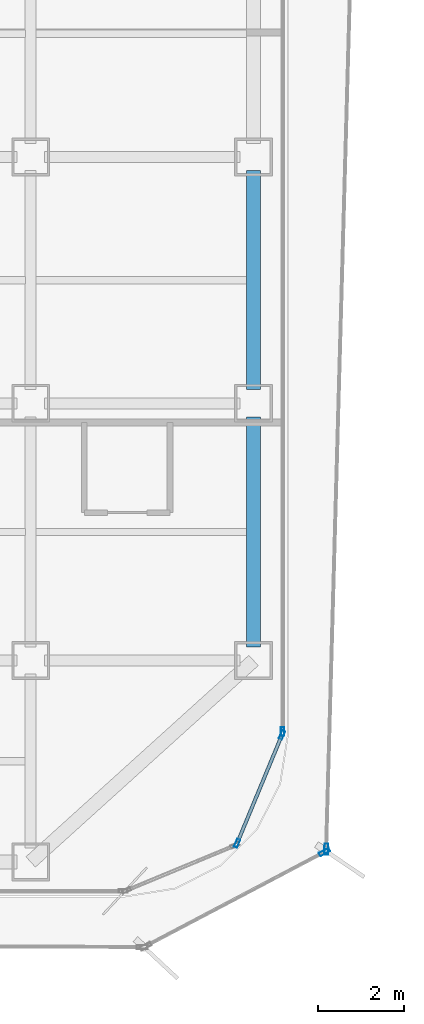
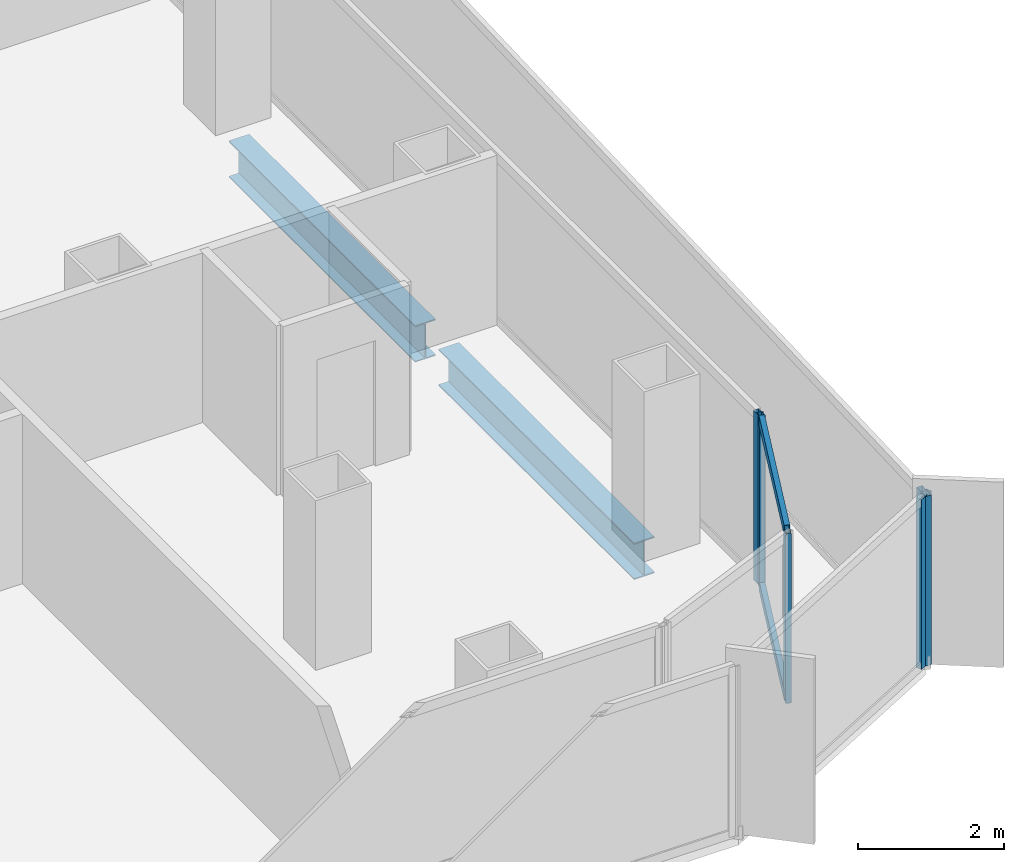
# One storey, part 8 of 21: 7 members, 2 beams, 4 elements without a shape of their own.
"""IFC4 building model written with IfcOpenShell, lengths in metres."""

from ifc_helpers import new_model, si_unit, direction, frame, origin, origin_2d, place, context, subcontext, project, spatial, hollow_rectangle, i_section, extrude, source, transform, mapped, material, layer, layer_set, material_profile, profile_set, type_object, element, aggregate, save


model = new_model("IFC4")

# Units and contexts
model_context = context("Model", 3, precision=1e-05, world=origin(), true_north=direction((0.0, 1.0)))
body_context = subcontext(model_context, "Body", "Model", "MODEL_VIEW")
ifc_project = project(units=[si_unit("LENGTHUNIT", "METRE"), si_unit("AREAUNIT", "SQUARE_METRE"), si_unit("VOLUMEUNIT", "CUBIC_METRE"), si_unit("PLANEANGLEUNIT", "RADIAN"), si_unit("MASSUNIT", "GRAM", prefix="KILO")], contexts=[model_context])

# Site, building, storey
site_placement = place(None, origin())
site = spatial("IfcSite", under=ifc_project, at=site_placement, CompositionType="ELEMENT")
building_placement = place(site_placement, origin())
building = spatial("IfcBuilding", under=site, at=building_placement, Name="Kolveth Station Tower", CompositionType="ELEMENT")
storey_placement = place(building_placement, frame((0.0, 0.0, 140.699951171875)))
storey = spatial("IfcBuildingStorey", under=building, at=storey_placement, Name="L39", CompositionType="ELEMENT", Elevation=140.699951171875)

# Beams
ifc_material_1 = material(Name="Steel S355", Category="steel")
ifc_material_profile_1 = material_profile(ifc_material_1, i_section(OverallWidth=0.323974609375, OverallDepth=0.611083984375, WebThickness=0.0126953125, FlangeThickness=0.01904296875, at=origin_2d()), Name="W610x155")
ifc_profile_set_1 = profile_set([ifc_material_profile_1], Name="Steel S355")
beam_type = type_object("IfcBeamType", Name="Beam_SP2", PredefinedType="SPANDREL", material=ifc_profile_set_1)
shared_shape_1 = source(origin(), body_context, "Body", "SweptSolid", [
    extrude(i_section(OverallWidth=0.323974609375, OverallDepth=0.611083984375, WebThickness=0.0126953125, FlangeThickness=0.01904296875, at=origin_2d()), origin(), (0.0, 0.0, 1.0), 5.35986328125),
])
beam_1_placement = place(storey_placement, frame((46.199951171875, 5.820068359375, -0.555419921875), z_axis=(0.0, 1.0, 0.0), x_axis=(-1.0, 0.0, 0.0)))
element("IfcBeam", 1, at=beam_1_placement, inside=storey, type_object=beam_type, Name="L39 Perimeter Spandrel BM-L39-PE-1", PredefinedType="SPANDREL", context=body_context, shape_type="MappedRepresentation", body=[
    mapped(shared_shape_1, transform((0.0, 0.0, 0.0), x_axis=(1.0, 0.0, 0.0), y_axis=(0.0, 1.0, 0.0), z_axis=(0.0, 0.0, 1.0), scale=1.0)),
])
shared_shape_2 = source(origin(), body_context, "Body", "SweptSolid", [
    extrude(i_section(OverallWidth=0.323974609375, OverallDepth=0.611083984375, WebThickness=0.0126953125, FlangeThickness=0.01904296875, at=origin_2d()), origin(), (0.0, 0.0, 1.0), 5.10986328125),
])
beam_2_placement = place(storey_placement, frame((46.199951171875, 11.820068359375, -0.555419921875), z_axis=(0.0, 1.0, 0.0), x_axis=(-1.0, 0.0, 0.0)))
element("IfcBeam", 2, at=beam_2_placement, inside=storey, type_object=beam_type, Name="L39 Perimeter Spandrel BM-L39-PE-2", PredefinedType="SPANDREL", context=body_context, shape_type="MappedRepresentation", body=[
    mapped(shared_shape_2, transform((0.0, 0.0, 0.0), x_axis=(1.0, 0.0, 0.0), y_axis=(0.0, 1.0, 0.0), z_axis=(0.0, 0.0, 1.0), scale=1.0)),
])

# Curtain wall, members
ifc_material_2 = material(Name="Aluminium 6063-T6 and low-E dark glass", Category="aluminium")
ifc_layer_1 = layer(ifc_material_2, 0.18994140625)
ifc_layer_set_1 = layer_set([ifc_layer_1], Name="Aluminium 6063-T6 and low-E dark glass")
curtain_wall_type_1 = type_object("IfcCurtainWallType", Name="CurtainWall_CW-Z2", PredefinedType="NOTDEFINED", material=ifc_layer_set_1)
curtain_wall_1_placement = place(storey_placement, origin())
curtain_wall_1 = element("IfcCurtainWall", 3, at=curtain_wall_1_placement, inside=storey, type_object=curtain_wall_type_1, Name="L39 Inner Thermal Curtain Wall 2", PredefinedType="NOTDEFINED")
ifc_material_3 = material(Name="Black anodized aluminium 6063-T6", Category="aluminium")
ifc_material_profile_2 = material_profile(ifc_material_3, hollow_rectangle(XDim=0.080078125, YDim=0.169921875, WallThickness=0.0048828125, at=origin_2d()), Name="ALU-80x170x5")
ifc_profile_set_2 = profile_set([ifc_material_profile_2], Name="Black anodized aluminium 6063-T6")
member_type_1 = type_object("IfcMemberType", Name="Transom_TR2", PredefinedType="USERDEFINED", material=ifc_profile_set_2)
shared_shape_3 = source(origin(), body_context, "Body", "SweptSolid", [
    extrude(hollow_rectangle(XDim=0.080078125, YDim=0.169921875, WallThickness=0.0048828125, at=origin_2d()), origin(), (0.0, 0.0, 1.0), 2.656494140625),
])
member_1_placement = place(storey_placement, frame((45.832763671875, 1.271728515625, 0.0400390625), z_axis=(0.382676455475, 0.923882422403, 0.0), x_axis=(-0.923882422403, 0.382676455475, 0.0)))
member_1 = element("IfcMember", 4, at=member_1_placement, type_object=member_type_1, Name="CW-Z2 transom 1.1", ObjectType="TRANSOM", PredefinedType="USERDEFINED", context=body_context, shape_type="MappedRepresentation", body=[
    mapped(shared_shape_3, transform((0.0, 0.0, 0.0), x_axis=(1.0, 0.0, 0.0), y_axis=(0.0, 1.0, 0.0), z_axis=(0.0, 0.0, 1.0), scale=1.0)),
])
member_2_placement = place(storey_placement, frame((45.832763671875, 1.271728515625, 2.800048828125), z_axis=(0.382676455475, 0.923882422403, 0.0), x_axis=(-0.923882422403, 0.382676455475, 0.0)))
member_2 = element("IfcMember", 5, at=member_2_placement, type_object=member_type_1, Name="CW-Z2 transom 1.2", ObjectType="TRANSOM", PredefinedType="USERDEFINED", context=body_context, shape_type="MappedRepresentation", body=[
    mapped(shared_shape_3, transform((0.0, 0.0, 0.0), x_axis=(1.0, 0.0, 0.0), y_axis=(0.0, 1.0, 0.0), z_axis=(0.0, 0.0, 1.0), scale=1.0)),
])
ifc_material_profile_3 = material_profile(ifc_material_3, hollow_rectangle(XDim=0.080078125, YDim=0.199951171875, WallThickness=0.0048828125, at=origin_2d()), Name="ALU-80x200x5")
ifc_profile_set_3 = profile_set([ifc_material_profile_3], Name="Black anodized aluminium 6063-T6")
member_type_2 = type_object("IfcMemberType", Name="Mullion_ML2", PredefinedType="MULLION", material=ifc_profile_set_3)
shared_shape_4 = source(origin(), body_context, "Body", "SweptSolid", [
    extrude(hollow_rectangle(XDim=0.080078125, YDim=0.199951171875, WallThickness=0.0048828125, at=origin_2d()), origin(), (0.0, 0.0, 1.0), 2.840087890625),
])
member_3_placement = place(storey_placement, frame((45.817626953125, 1.23486328125, 0.0), z_axis=(0.0, 0.0, 1.0), x_axis=(-0.923887883787, 0.38266326998, 0.0)))
member_3 = element("IfcMember", 6, at=member_3_placement, type_object=member_type_2, Name="CW-Z2 mullion 1", PredefinedType="MULLION", context=body_context, shape_type="MappedRepresentation", body=[
    mapped(shared_shape_4, transform((0.0, 0.0, 0.0), x_axis=(1.0, 0.0, 0.0), y_axis=(0.0, 1.0, 0.0), z_axis=(0.0, 0.0, 1.0), scale=1.0)),
])
member_4_placement = place(storey_placement, frame((46.86474609375, 3.762939453125, 0.0), z_axis=(0.0, 0.0, 1.0), x_axis=(-0.923887883787, 0.38266326998, 0.0)))
member_4 = element("IfcMember", 7, at=member_4_placement, type_object=member_type_2, Name="CW-Z2 mullion 2", PredefinedType="MULLION", context=body_context, shape_type="MappedRepresentation", body=[
    mapped(shared_shape_4, transform((0.0, 0.0, 0.0), x_axis=(1.0, 0.0, 0.0), y_axis=(0.0, 1.0, 0.0), z_axis=(0.0, 0.0, 1.0), scale=1.0)),
])
aggregate(curtain_wall_1, [member_3, member_4, member_1, member_2])

# Curtain wall, member
curtain_wall_2_placement = place(storey_placement, origin())
curtain_wall_2 = element("IfcCurtainWall", 8, at=curtain_wall_2_placement, inside=storey, type_object=curtain_wall_type_1, Name="L39 Inner Thermal Curtain Wall 3", PredefinedType="NOTDEFINED")
member_5_placement = place(storey_placement, frame((46.8798828125, 3.840087890625, 0.0), z_axis=(0.0, 0.0, 1.0), x_axis=(-1.0, 0.0, 0.0)))
member_5 = element("IfcMember", 9, at=member_5_placement, type_object=member_type_2, Name="CW-Z2 mullion 1", PredefinedType="MULLION", context=body_context, shape_type="MappedRepresentation", body=[
    mapped(shared_shape_4, transform((0.0, 0.0, 0.0), x_axis=(1.0, 0.0, 0.0), y_axis=(0.0, 1.0, 0.0), z_axis=(0.0, 0.0, 1.0), scale=1.0)),
])
aggregate(curtain_wall_2, [member_5])

ifc_material_4 = material(Name="Black anodized aluminium 6063-T6 and dark solar glass", Category="aluminium")
ifc_layer_2 = layer(ifc_material_4, 0.159912109375)
ifc_layer_set_2 = layer_set([ifc_layer_2], Name="Black anodized aluminium 6063-T6 and dark solar glass")
curtain_wall_type_2 = type_object("IfcCurtainWallType", Name="OUTER SKIN CW-OS", PredefinedType="NOTDEFINED", material=ifc_layer_set_2)
curtain_wall_3_placement = place(storey_placement, origin())
curtain_wall_3 = element("IfcCurtainWall", 10, at=curtain_wall_3_placement, inside=storey, type_object=curtain_wall_type_2, Name="L39 Outer Ventilated Skin Curtain Wall 1", PredefinedType="NOTDEFINED")
ifc_material_profile_4 = material_profile(ifc_material_3, hollow_rectangle(XDim=0.090087890625, YDim=0.260009765625, WallThickness=0.0048828125, at=origin_2d()), Name="ALU-90x260x5")
ifc_profile_set_4 = profile_set([ifc_material_profile_4], Name="Black anodized aluminium 6063-T6")
member_type_3 = type_object("IfcMemberType", Name="FIN MULLION ML-OS", PredefinedType="MULLION", material=ifc_profile_set_4)
shared_shape_5 = source(origin(), body_context, "Body", "SweptSolid", [
    extrude(hollow_rectangle(XDim=0.090087890625, YDim=0.260009765625, WallThickness=0.0048828125, at=origin_2d()), origin(), (0.0, 0.0, 1.0), 2.840087890625),
])
member_6_placement = place(storey_placement, frame((47.857177734375, 1.02880859375, 0.0), z_axis=(0.0, 0.0, 1.0), x_axis=(-0.465868212022, 0.88485411737, 0.0)))
member_6 = element("IfcMember", 11, at=member_6_placement, type_object=member_type_3, Name="CW-OS mullion 2", PredefinedType="MULLION", context=body_context, shape_type="MappedRepresentation", body=[
    mapped(shared_shape_5, transform((0.0, 0.0, 0.0), x_axis=(1.0, 0.0, 0.0), y_axis=(0.0, 1.0, 0.0), z_axis=(0.0, 0.0, 1.0), scale=1.0)),
])
aggregate(curtain_wall_3, [member_6])

curtain_wall_4_placement = place(storey_placement, origin())
curtain_wall_4 = element("IfcCurtainWall", 12, at=curtain_wall_4_placement, inside=storey, type_object=curtain_wall_type_2, Name="L39 Outer Ventilated Skin Curtain Wall 2", PredefinedType="NOTDEFINED")
member_7_placement = place(storey_placement, frame((47.8984375, 1.0947265625, 0.0), z_axis=(0.0, 0.0, 1.0), x_axis=(-0.999614927621, 0.027748810364, 0.0)))
member_7 = element("IfcMember", 13, at=member_7_placement, type_object=member_type_3, Name="CW-OS mullion 1", PredefinedType="MULLION", context=body_context, shape_type="MappedRepresentation", body=[
    mapped(shared_shape_5, transform((0.0, 0.0, 0.0), x_axis=(1.0, 0.0, 0.0), y_axis=(0.0, 1.0, 0.0), z_axis=(0.0, 0.0, 1.0), scale=1.0)),
])
aggregate(curtain_wall_4, [member_7])

save(model, "model.ifc")
